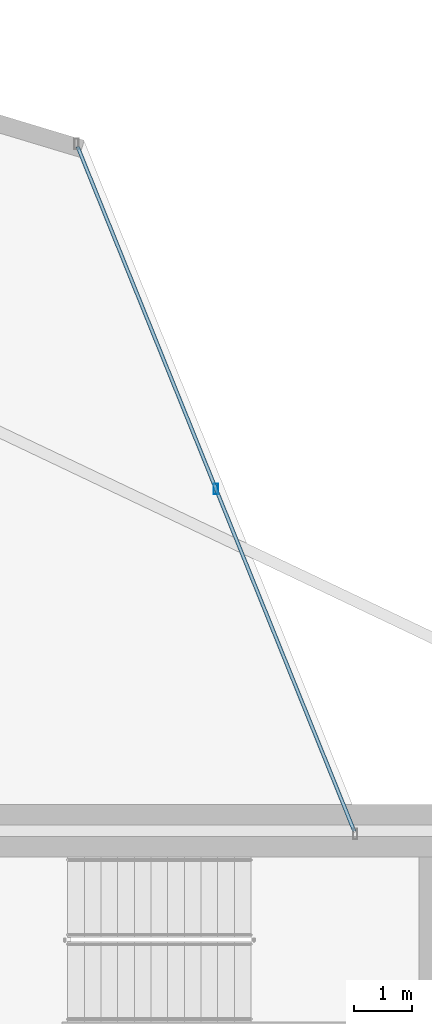
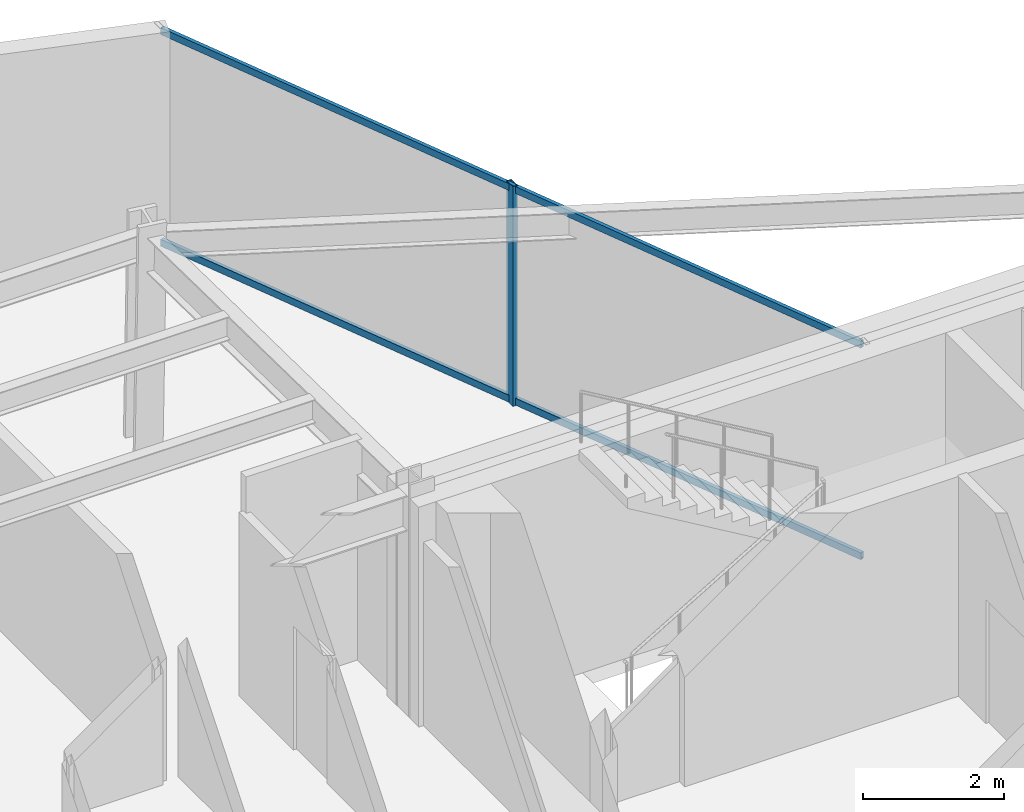
# One storey, part 21 of 31: 3 members, 1 element without a shape of its own.
"""IFC4 building model written with IfcOpenShell, lengths in metres."""

from ifc_helpers import new_model, si_unit, direction, frame, origin, origin_2d, place, context, subcontext, project, spatial, hollow_rectangle, extrude, material, layer, layer_set, material_profile, profile_set, type_object, element, aggregate, save


model = new_model("IFC4")

# Units and contexts
model_context = context("Model", 3, precision=1e-05, world=origin(), true_north=direction((0.0, 1.0)))
body_context = subcontext(model_context, "Body", "Model", "MODEL_VIEW")
ifc_project = project(units=[si_unit("LENGTHUNIT", "METRE"), si_unit("AREAUNIT", "SQUARE_METRE"), si_unit("VOLUMEUNIT", "CUBIC_METRE"), si_unit("PLANEANGLEUNIT", "RADIAN"), si_unit("MASSUNIT", "GRAM", prefix="KILO")], contexts=[model_context])

# Site, building, storey
site_placement = place(None, origin())
site = spatial("IfcSite", under=ifc_project, at=site_placement, CompositionType="ELEMENT")
building_placement = place(site_placement, origin())
building = spatial("IfcBuilding", under=site, at=building_placement, Name="Veymaron Broadcast Tower", CompositionType="ELEMENT")
storey_placement = place(building_placement, frame((0.0, 0.0, 70.199951171875)))
storey = spatial("IfcBuildingStorey", under=building, at=storey_placement, Name="L15", CompositionType="ELEMENT", Elevation=70.199951171875)

# Curtain wall, members
ifc_material_1 = material(Name="Anodised aluminium AA 6063-T6 and laminated low-E dark glass", Category="aluminium")
ifc_layer = layer(ifc_material_1, 0.179931640625)
ifc_layer_set = layer_set([ifc_layer], Name="Anodised aluminium AA 6063-T6 and laminated low-E dark glass")
curtain_wall_type = type_object("IfcCurtainWallType", Name="CW-SYS-02", PredefinedType="NOTDEFINED", material=ifc_layer_set)
curtain_wall_placement = place(storey_placement, origin())
curtain_wall = element("IfcCurtainWall", 1, at=curtain_wall_placement, inside=storey, type_object=curtain_wall_type, Name="L15 dark-glass curtain wall CW-L15-E5-1", PredefinedType="NOTDEFINED")
ifc_material_2 = material(Name="Anodised aluminium AA 6063-T6", Category="aluminium")
ifc_material_profile_1 = material_profile(ifc_material_2, hollow_rectangle(XDim=0.074951171875, YDim=0.179931640625, WallThickness=0.0048828125, at=origin_2d()), Name="AL180X75X5")
ifc_profile_set_1 = profile_set([ifc_material_profile_1], Name="Anodised aluminium AA 6063-T6")
member_type_1 = type_object("IfcMemberType", Name="CW-MUL-02", PredefinedType="MULLION", material=ifc_profile_set_1)
member_1_placement = place(storey_placement, frame((43.963623046875, 37.844482421875, 0.0), z_axis=(0.0, 0.0, 1.0), x_axis=(1.0, 0.0, 0.0)))
member_1 = element("IfcMember", 2, at=member_1_placement, type_object=member_type_1, Name="CW-L15-E5-1 mullion 1", PredefinedType="MULLION", context=body_context, shape_type="SweptSolid", body=[
    extrude(hollow_rectangle(XDim=0.074951171875, YDim=0.179931640625, WallThickness=0.0048828125, at=origin_2d()), origin(), (0.0, 0.0, 1.0), 3.81005859375),
])
ifc_material_profile_2 = material_profile(ifc_material_2, hollow_rectangle(XDim=0.06005859375, YDim=0.1201171875, WallThickness=0.00390625, at=origin_2d()), Name="AL120X60X4")
ifc_profile_set_2 = profile_set([ifc_material_profile_2], Name="Anodised aluminium AA 6063-T6")
member_type_2 = type_object("IfcMemberType", Name="CW-TRN-02", PredefinedType="USERDEFINED", material=ifc_profile_set_2)
member_2_placement = place(storey_placement, frame((46.328125, 31.993896484375, 0.070068359375), z_axis=(-0.374703561178, 0.927144671149, 0.0), x_axis=(-0.927144671149, -0.374703561178, 0.0)))
member_2 = element("IfcMember", 3, at=member_2_placement, type_object=member_type_2, Name="CW-L15-E5-1 transom B", ObjectType="TRANSOM", PredefinedType="USERDEFINED", context=body_context, shape_type="SweptSolid", body=[
    extrude(hollow_rectangle(XDim=0.06005859375, YDim=0.1201171875, WallThickness=0.00390625, at=origin_2d()), origin(), (0.0, 0.0, 1.0), 12.62060546875),
])
member_3_placement = place(storey_placement, frame((46.328125, 31.993896484375, 3.739990234375), z_axis=(-0.374703561178, 0.927144671149, 0.0), x_axis=(-0.927144671149, -0.374703561178, 0.0)))
member_3 = element("IfcMember", 4, at=member_3_placement, type_object=member_type_2, Name="CW-L15-E5-1 transom T", ObjectType="TRANSOM", PredefinedType="USERDEFINED", context=body_context, shape_type="SweptSolid", body=[
    extrude(hollow_rectangle(XDim=0.06005859375, YDim=0.1201171875, WallThickness=0.00390625, at=origin_2d()), origin(), (0.0, 0.0, 1.0), 12.62060546875),
])
aggregate(curtain_wall, [member_1, member_2, member_3])

save(model, "model.ifc")
